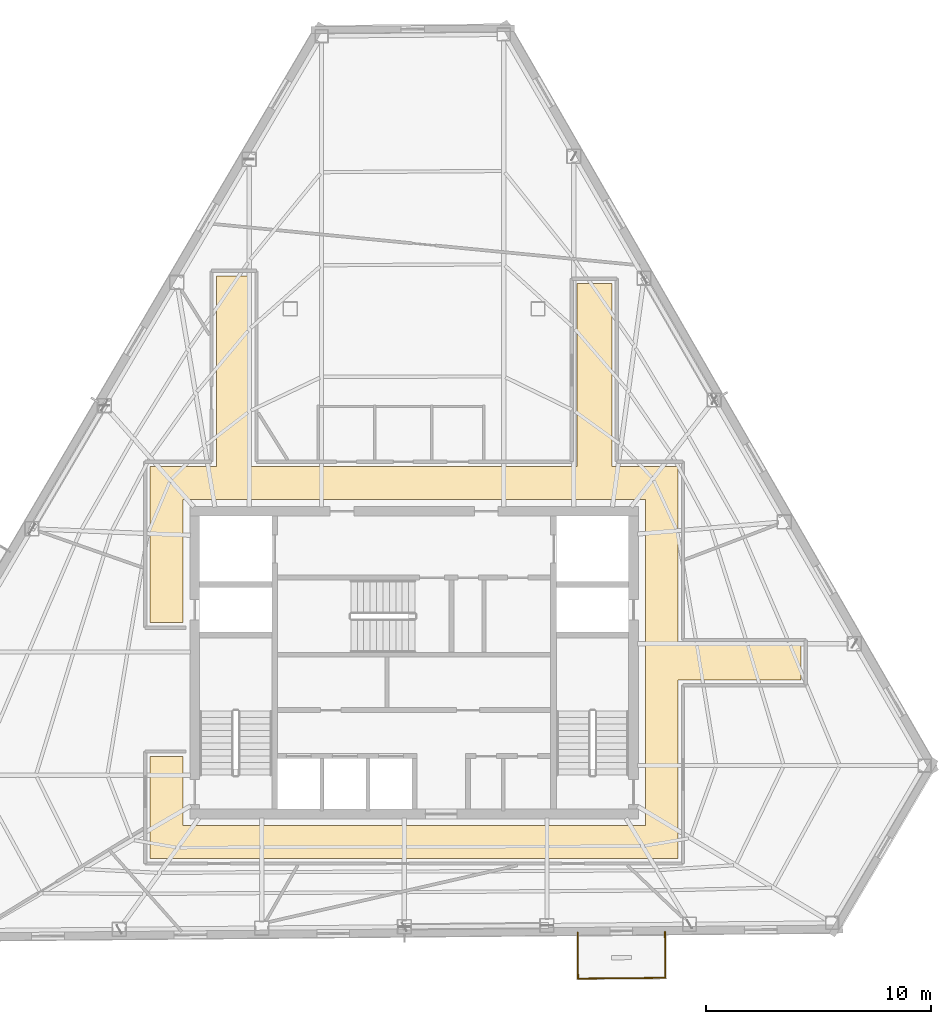
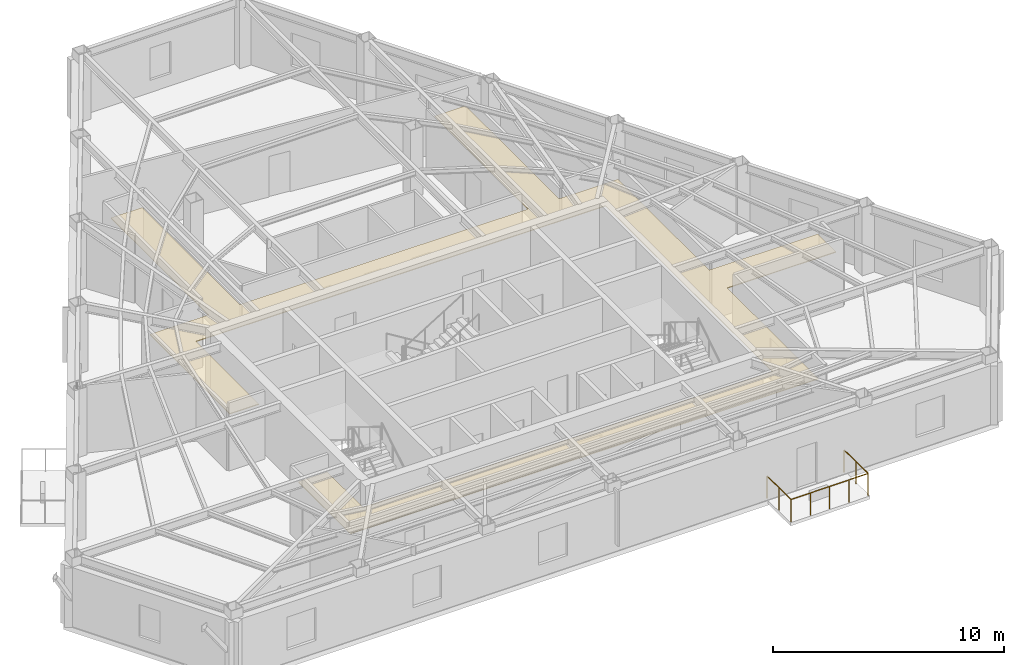
# One storey, part 13 of 14: 3 railings, 1 covering.
"""IFC4 building model written with IfcOpenShell, lengths in metres."""

from ifc_helpers import new_model, si_unit, direction, frame, origin, origin_2d, place, context, subcontext, project, spatial, polyline, circle, outline, extrude, material, layer, layer_set, type_object, element, save


model = new_model("IFC4")

# Units and contexts
model_context = context("Model", 3, precision=1e-05, world=origin(), true_north=direction((0.0, 1.0)))
body_context = subcontext(model_context, "Body", "Model", "MODEL_VIEW")
ifc_project = project(units=[si_unit("LENGTHUNIT", "METRE"), si_unit("AREAUNIT", "SQUARE_METRE"), si_unit("VOLUMEUNIT", "CUBIC_METRE"), si_unit("PLANEANGLEUNIT", "RADIAN"), si_unit("MASSUNIT", "GRAM", prefix="KILO")], contexts=[model_context])

# Site, building, storey
site_placement = place(None, origin())
site = spatial("IfcSite", under=ifc_project, at=site_placement, CompositionType="ELEMENT")
building_placement = place(site_placement, origin())
building = spatial("IfcBuilding", under=site, at=building_placement, Name="Kavelnor Concourse Tower", CompositionType="ELEMENT")
storey_placement = place(building_placement, frame((0.0, 0.0, 215.050048828125)))
storey = spatial("IfcBuildingStorey", under=building, at=storey_placement, Name="L54", CompositionType="ELEMENT", Elevation=215.050048828125)

# Covering
ifc_material_1 = material(Name="Mineral fibre acoustic ceiling tile")
ifc_layer = layer(ifc_material_1, 0.0400390625, Name="Mineral fibre acoustic ceiling tile")
ifc_layer_set = layer_set([ifc_layer], Name="Mineral fibre acoustic ceiling tile")
covering_type = type_object("IfcCoveringType", Name="COV-CEILING-ACOUSTIC", PredefinedType="CEILING", material=ifc_layer_set)
covering_placement = place(storey_placement, frame((0.0, 0.0, 2.75)))
element("IfcCovering", 1, at=covering_placement, inside=storey, type_object=covering_type, Name="L54 Suspended Acoustic Ceiling", PredefinedType="CEILING", context=body_context, shape_type="SweptSolid", body=[
    extrude(outline(polyline([(29.219970703125, 24.800048828125), (29.219970703125, 33.271728515625), (30.780029296875, 33.271728515625), (30.780029296875, 24.800048828125), (45.219970703125, 24.800048828125), (45.219970703125, 32.921875), (46.780029296875, 32.921875), (46.780029296875, 24.800048828125), (49.719970703125, 24.800048828125), (49.719970703125, 16.8798828125), (55.16552734375, 16.8798828125), (55.16552734375, 15.320068359375), (49.719970703125, 15.320068359375), (49.719970703125, 7.39990234375), (26.280029296875, 7.39990234375), (26.280029296875, 11.929931640625), (27.739990234375, 11.929931640625), (27.739990234375, 8.860107421875), (48.260009765625, 8.860107421875), (48.260009765625, 23.340087890625), (27.739990234375, 23.340087890625), (27.739990234375, 17.8701171875), (26.280029296875, 17.8701171875), (26.280029296875, 24.800048828125), (29.219970703125, 24.800048828125)])), origin(), (0.0, 0.0, 1.0), 0.0400390625),
])

# Railings
ifc_material_2 = material(Name="Architectural bronze-anodised aluminium", Category="aluminium")
railing_type = type_object("IfcRailingType", Name="RLG-TERRACE-1200", PredefinedType="BALUSTRADE", material=ifc_material_2)
railing_1_placement = place(storey_placement, frame((45.255859375, 4.12060546875, 0.0)))
element("IfcRailing", 2, at=railing_1_placement, inside=storey, type_object=railing_type, Name="L54 Tree Balcony 2 Guardrail L", PredefinedType="BALUSTRADE", context=body_context, shape_type="SweptSolid", body=[
    extrude(circle(Radius=0.02392578125, at=origin_2d()), frame((0.0, 0.0, 1.17578125), z_axis=(0.009051558667, -0.999959033804, 0.0), x_axis=(0.999959033804, 0.009051558667, 0.0)), (0.0, 0.0, 1.0), 2.0498046875),
    extrude(circle(Radius=0.02099609375, at=origin_2d()), origin(), (0.0, 0.0, 1.0), 1.15185546875),
    extrude(circle(Radius=0.02099609375, at=origin_2d()), frame((0.00927734375, -1.02490234375, 0.0)), (0.0, 0.0, 1.0), 1.15185546875),
    extrude(circle(Radius=0.02099609375, at=origin_2d()), frame((0.0185546875, -2.0498046875, 0.0)), (0.0, 0.0, 1.0), 1.15185546875),
])
railing_2_placement = place(storey_placement, frame((45.2744140625, 2.07080078125, 0.0)))
element("IfcRailing", 3, at=railing_2_placement, inside=storey, type_object=railing_type, Name="L54 Tree Balcony 2 Guardrail F", PredefinedType="BALUSTRADE", context=body_context, shape_type="SweptSolid", body=[
    extrude(circle(Radius=0.02392578125, at=origin_2d()), frame((0.0, 0.0, 1.17578125), z_axis=(0.999959518314, 0.008997873843, 0.0), x_axis=(-0.008997873843, 0.999959518314, 0.0)), (0.0, 0.0, 1.0), 3.880126953125),
    extrude(circle(Radius=0.02099609375, at=origin_2d()), origin(), (0.0, 0.0, 1.0), 1.15185546875),
    extrude(circle(Radius=0.02099609375, at=origin_2d()), frame((0.969970703125, 0.0087890625, 0.0)), (0.0, 0.0, 1.0), 1.15185546875),
    extrude(circle(Radius=0.02099609375, at=origin_2d()), frame((1.93994140625, 0.017578125, 0.0)), (0.0, 0.0, 1.0), 1.15185546875),
    extrude(circle(Radius=0.02099609375, at=origin_2d()), frame((2.909912109375, 0.026123046875, 0.0)), (0.0, 0.0, 1.0), 1.15185546875),
    extrude(circle(Radius=0.02099609375, at=origin_2d()), frame((3.8798828125, 0.034912109375, 0.0)), (0.0, 0.0, 1.0), 1.15185546875),
])
railing_3_placement = place(storey_placement, frame((49.154296875, 2.105712890625, 0.0)))
element("IfcRailing", 4, at=railing_3_placement, inside=storey, type_object=railing_type, Name="L54 Tree Balcony 2 Guardrail R", PredefinedType="BALUSTRADE", context=body_context, shape_type="SweptSolid", body=[
    extrude(circle(Radius=0.02392578125, at=origin_2d()), frame((0.0, 0.0, 1.17578125), z_axis=(-0.009051558667, 0.999959033804, 0.0), x_axis=(-0.999959033804, -0.009051558667, 0.0)), (0.0, 0.0, 1.0), 2.0498046875),
    extrude(circle(Radius=0.02099609375, at=origin_2d()), origin(), (0.0, 0.0, 1.0), 1.15185546875),
    extrude(circle(Radius=0.02099609375, at=origin_2d()), frame((-0.00927734375, 1.02490234375, 0.0)), (0.0, 0.0, 1.0), 1.15185546875),
    extrude(circle(Radius=0.02099609375, at=origin_2d()), frame((-0.0185546875, 2.0498046875, 0.0)), (0.0, 0.0, 1.0), 1.15185546875),
])

save(model, "model.ifc")
